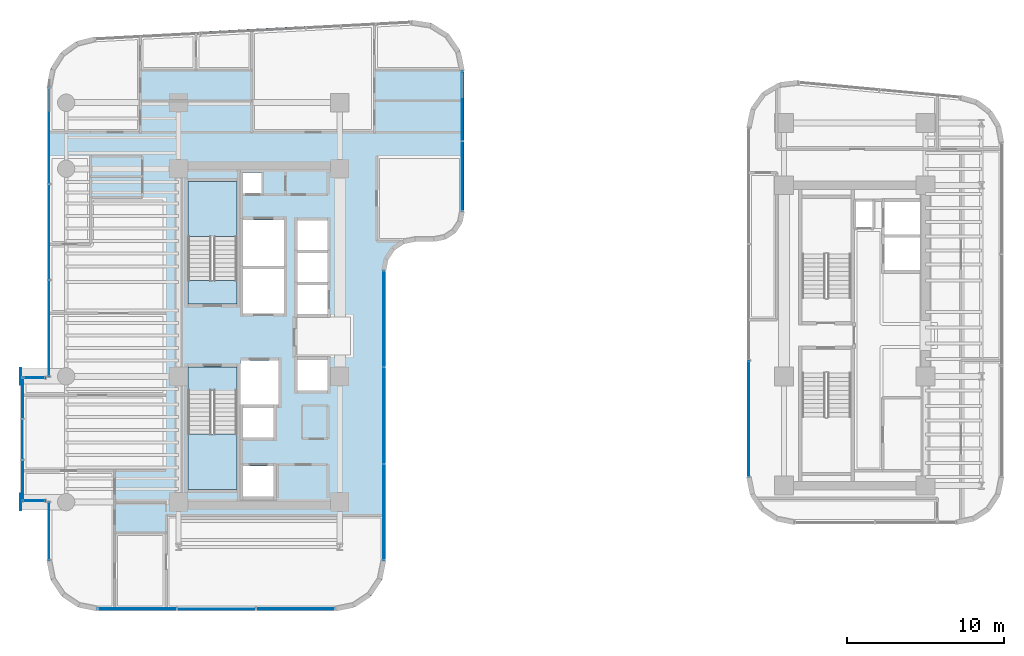
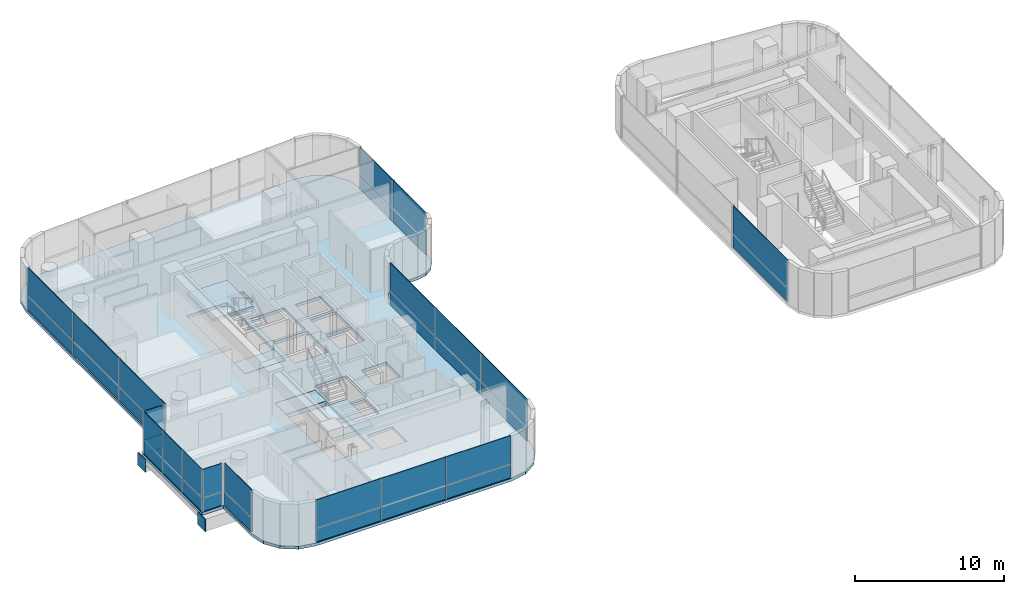
# One storey, part 24 of 34: 33 plates, 5 slabs, 11 elements without a shape of their own.
"""IFC4 building model written with IfcOpenShell, lengths in metres."""

from ifc_helpers import new_model, si_unit, direction, frame, origin, origin_2d, place, context, subcontext, project, spatial, polyline, rectangle, outline, extrude, source, transform, mapped, material, layer, layer_set, type_object, element, aggregate, save


model = new_model("IFC4")

# Units and contexts
model_context = context("Model", 3, precision=1e-05, world=origin(), true_north=direction((0.0, 1.0)))
body_context = subcontext(model_context, "Body", "Model", "MODEL_VIEW")
ifc_project = project(units=[si_unit("LENGTHUNIT", "METRE"), si_unit("AREAUNIT", "SQUARE_METRE"), si_unit("VOLUMEUNIT", "CUBIC_METRE"), si_unit("PLANEANGLEUNIT", "RADIAN"), si_unit("MASSUNIT", "GRAM", prefix="KILO")], contexts=[model_context])

# Site, building, storey
site_placement = place(None, origin())
site = spatial("IfcSite", under=ifc_project, at=site_placement, CompositionType="ELEMENT")
building_placement = place(site_placement, origin())
building = spatial("IfcBuilding", under=site, at=building_placement, Name="Valdorenza Pilgrim Sanctuary Tower", CompositionType="ELEMENT")
storey_placement = place(building_placement, frame((0.0, 0.0, 164.89990234375)))
storey = spatial("IfcBuildingStorey", under=building, at=storey_placement, Name="L42", CompositionType="ELEMENT", Elevation=164.89990234375)

# Slab
ifc_material_1 = material(Name="Concrete C40/50", Category="concrete")
ifc_layer_1 = layer(ifc_material_1, 0.239990234375, Name="Concrete C40/50")
ifc_layer_set_1 = layer_set([ifc_layer_1], Name="Concrete C40/50")
slab_type_1 = type_object("IfcSlabType", Name="SLAB-FLR-220", PredefinedType="FLOOR", material=ifc_layer_set_1)
slab_1_placement = place(storey_placement, frame((0.0, 0.0, -0.239990234375)))
element("IfcSlab", 1, at=slab_1_placement, inside=storey, type_object=slab_type_1, Name="L42 Structural Floor Slab 1", PredefinedType="FLOOR", context=body_context, shape_type="SweptSolid", body=[
    extrude(outline(polyline([(-32.64990234375, -2.60009765625), (-31.0, -2.60009765625), (-31.0, 15.7646484375), (-30.772216796875, 16.9501953125), (-30.12158203125, 17.966796875), (-29.140625, 18.670166015625), (-27.96875, 18.960205078125), (-7.868896484375, 20.02197265625), (-6.593505859375, 19.8291015625), (-5.497802734375, 19.148193359375), (-4.760009765625, 18.090087890625), (-4.5, 16.826416015625), (-4.5, 7.89990234375), (-4.64453125, 7.1728515625), (-5.056396484375, 6.556396484375), (-5.6728515625, 6.14453125), (-6.39990234375, 6.0), (-7.60009765625, 6.0), (-8.3271484375, 5.85546875), (-8.943603515625, 5.443603515625), (-9.35546875, 4.8271484375), (-9.5, 4.10009765625), (-9.5, -14.300048828125), (-9.74365234375, -15.524658203125), (-10.437255859375, -16.562744140625), (-11.475341796875, -17.25634765625), (-12.699951171875, -17.5), (-27.800048828125, -17.5), (-29.024658203125, -17.25634765625), (-30.062744140625, -16.562744140625), (-30.75634765625, -15.524658203125), (-31.0, -14.300048828125), (-31.0, -10.60009765625), (-32.64990234375, -10.60009765625), (-32.64990234375, -2.60009765625)]), holes=[polyline([(-16.60009765625, -10.25), (-16.60009765625, -8.300048828125), (-18.550048828125, -8.300048828125), (-18.550048828125, -10.25), (-16.60009765625, -10.25)]), polyline([(-22.050048828125, -9.800048828125), (-18.93994140625, -9.800048828125), (-18.93994140625, -3.485107421875), (-18.93994140625, -2.0), (-22.050048828125, -2.0), (-22.050048828125, -3.485107421875), (-22.050048828125, -9.800048828125)]), polyline([(-16.60009765625, -6.5), (-16.60009765625, -4.60009765625), (-18.550048828125, -4.60009765625), (-18.550048828125, -6.5), (-16.60009765625, -6.5)]), polyline([(-18.719970703125, -4.39990234375), (-16.300048828125, -4.39990234375), (-16.300048828125, -1.60009765625), (-18.719970703125, -1.60009765625), (-18.719970703125, -4.39990234375)]), polyline([(-13.179931640625, 1.35009765625), (-13.179931640625, 3.199951171875), (-15.10009765625, 3.199951171875), (-15.10009765625, 1.35009765625), (-13.179931640625, 1.35009765625)]), polyline([(-22.050048828125, 2.0), (-18.93994140625, 2.0), (-18.93994140625, 3.485107421875), (-18.93994140625, 9.800048828125), (-22.050048828125, 9.800048828125), (-22.050048828125, 3.485107421875), (-22.050048828125, 2.0)]), polyline([(-15.949951171875, 1.39990234375), (-15.949951171875, 4.22509765625), (-18.550048828125, 4.22509765625), (-18.550048828125, 1.39990234375), (-15.949951171875, 1.39990234375)]), polyline([(-18.550048828125, 4.425048828125), (-15.949951171875, 4.425048828125), (-15.949951171875, 7.35009765625), (-18.550048828125, 7.35009765625), (-18.550048828125, 4.425048828125)]), polyline([(-17.360107421875, 9.030029296875), (-17.360107421875, 10.35009765625), (-18.570068359375, 10.35009765625), (-18.570068359375, 9.030029296875), (-17.360107421875, 9.030029296875)]), polyline([(-13.179931640625, -3.5), (-13.179931640625, -1.550048828125), (-15.10009765625, -1.550048828125), (-15.10009765625, -3.5), (-13.179931640625, -3.5)]), polyline([(-13.179931640625, 3.39990234375), (-13.179931640625, 5.25), (-15.10009765625, 5.25), (-15.10009765625, 3.39990234375), (-13.179931640625, 3.39990234375)]), polyline([(-13.179931640625, 5.449951171875), (-13.179931640625, 7.300048828125), (-15.10009765625, 7.300048828125), (-15.10009765625, 5.449951171875), (-13.179931640625, 5.449951171875)])]), origin(), (0.0, 0.0, 1.0), 0.239990234375),
])

# Stair, slab
stair_type = type_object("IfcStairType", Name="STR-DOG-CORE", PredefinedType="HALF_TURN_STAIR", material=ifc_material_1)
stair_1_placement = place(storey_placement, origin())
stair_1 = element("IfcStair", 2, at=stair_1_placement, inside=storey, type_object=stair_type, Name="L42 ST-A1", PredefinedType="HALF_TURN_STAIR")
ifc_layer_2 = layer(ifc_material_1, 0.199951171875, Name="Concrete C40/50")
ifc_layer_set_2 = layer_set([ifc_layer_2], Name="Concrete C40/50")
slab_type_2 = type_object("IfcSlabType", Name="SLAB-STL-200", PredefinedType="LANDING", material=ifc_layer_set_2)
slab_2_placement = place(storey_placement, frame((0.0, 0.0, 1.650146484375)))
slab_2 = element("IfcSlab", 3, at=slab_2_placement, type_object=slab_type_2, Name="ST-A1 landing 1", PredefinedType="LANDING", context=body_context, shape_type="SweptSolid", body=[
    extrude(outline(polyline([(-18.93994140625, 6.280029296875), (-18.93994140625, 9.800048828125), (-22.050048828125, 9.800048828125), (-22.050048828125, 6.280029296875), (-18.93994140625, 6.280029296875)])), origin(), (0.0, 0.0, 1.0), 0.199951171875),
])
aggregate(stair_1, [slab_2])

stair_2_placement = place(storey_placement, origin())
stair_2 = element("IfcStair", 4, at=stair_2_placement, inside=storey, type_object=stair_type, Name="L42 ST-A2", PredefinedType="HALF_TURN_STAIR")
slab_3_placement = place(storey_placement, frame((0.0, 0.0, 1.650146484375)))
slab_3 = element("IfcSlab", 5, at=slab_3_placement, type_object=slab_type_2, Name="ST-A2 landing 1", PredefinedType="LANDING", context=body_context, shape_type="SweptSolid", body=[
    extrude(outline(polyline([(-22.050048828125, -6.280029296875), (-22.050048828125, -9.800048828125), (-18.93994140625, -9.800048828125), (-18.93994140625, -6.280029296875), (-22.050048828125, -6.280029296875)])), origin(), (0.0, 0.0, 1.0), 0.199951171875),
])
aggregate(stair_2, [slab_3])

# Slabs
ifc_material_2 = material(Name="Concrete C50/60", Category="concrete")
ifc_layer_3 = layer(ifc_material_2, 0.39990234375, Name="Concrete C50/60")
ifc_layer_set_3 = layer_set([ifc_layer_3], Name="Concrete C50/60")
slab_type_3 = type_object("IfcSlabType", Name="SLAB-TRF-400", PredefinedType="FLOOR", material=ifc_layer_set_3)
slab_4_placement = place(storey_placement, frame((0.0, 0.0, -0.35986328125)))
element("IfcSlab", 6, at=slab_4_placement, inside=storey, type_object=slab_type_3, Name="L42 ST-A1 Structural Stair Landing Bearing Slab", PredefinedType="FLOOR", context=body_context, shape_type="SweptSolid", body=[
    extrude(outline(polyline([(-22.050048828125, 2.0), (-18.93994140625, 2.0), (-18.93994140625, 3.485107421875), (-22.050048828125, 3.485107421875), (-22.050048828125, 2.0)])), origin(), (0.0, 0.0, 1.0), 0.35986328125),
])
slab_5_placement = place(storey_placement, frame((0.0, 0.0, -0.35986328125)))
element("IfcSlab", 7, at=slab_5_placement, inside=storey, type_object=slab_type_3, Name="L42 ST-A2 Structural Stair Landing Bearing Slab", PredefinedType="FLOOR", context=body_context, shape_type="SweptSolid", body=[
    extrude(outline(polyline([(-22.050048828125, -3.485107421875), (-18.93994140625, -3.485107421875), (-18.93994140625, -2.0), (-22.050048828125, -2.0), (-22.050048828125, -3.485107421875)])), origin(), (0.0, 0.0, 1.0), 0.35986328125),
])

# Plates
ifc_material_3 = material(Name="Steel ASTM A572 Grade 42", Category="steel")
ifc_layer_4 = layer(ifc_material_3, 0.06005859375, Name="Steel ASTM A572 Grade 42")
ifc_layer_set_4 = layer_set([ifc_layer_4], Name="Steel ASTM A572 Grade 42")
plate_type_1 = type_object("IfcPlateType", Name="PLT-CAP-60", PredefinedType="SHEET", material=ifc_layer_set_4)
shared_shape_1 = source(origin(), body_context, "Body", "SweptSolid", [
    extrude(rectangle(XDim=0.06005859375, YDim=1.0400390625, at=origin_2d()), origin(), (0.0, 0.0, 1.0), 1.0400390625),
])
for number, where, z_axis, x_axis, name in (
    (8, (-32.679931640625, -2.60009765625, -1.260009765625), (0.0, 0.0, 1.0), (1.0, 0.0, 0.0), "L42 BOX-WA-L42 Cantilever Tip End Cap N"),
    (9, (-32.679931640625, -10.60009765625, -1.260009765625), (0.0, 0.0, 1.0), (1.0, 0.0, 0.0), "L42 BOX-WA-L42 Cantilever Tip End Cap S"),
):
    element("IfcPlate", number, at=place(storey_placement, frame(where, z_axis=z_axis, x_axis=x_axis)), inside=storey, type_object=plate_type_1, Name=name, PredefinedType="SHEET", context=body_context, shape_type="MappedRepresentation", body=[
        mapped(shared_shape_1, transform((0.0, 0.0, 0.0), x_axis=(1.0, 0.0, 0.0), y_axis=(0.0, 1.0, 0.0), z_axis=(0.0, 0.0, 1.0), scale=1.0)),
    ])

# Curtain wall, plate
ifc_material_4 = material(Name="Curtain-wall IGU glazing", Category="glass")
curtain_wall_type_1 = type_object("IfcCurtainWallType", Name="CW-SYS-02", PredefinedType="NOTDEFINED", material=ifc_material_4)
curtain_wall_1_placement = place(storey_placement, origin())
curtain_wall_1 = element("IfcCurtainWall", 10, at=curtain_wall_1_placement, inside=storey, type_object=curtain_wall_type_1, Name="L42 Curtain Wall CW-L42-BOX-WA-L42-S", PredefinedType="NOTDEFINED")
ifc_material_5 = material(Name="Honed travertine limestone", Category="masonry")
ifc_layer_5 = layer(ifc_material_5, 0.050048828125, Name="Honed travertine limestone")
ifc_layer_set_5 = layer_set([ifc_layer_5], Name="Honed travertine limestone")
plate_type_2 = type_object("IfcPlateType", Name="CW-SPN-TRV", PredefinedType="USERDEFINED", material=ifc_layer_set_5)
shared_shape_2 = source(origin(), body_context, "Body", "SweptSolid", [
    extrude(rectangle(XDim=1.43994140625, YDim=0.06005859375, at=origin_2d()), origin(), (0.0, 0.0, 1.0), 1.10009765625),
])
plate_1_placement = place(storey_placement, frame((-31.840087890625, -10.52001953125, 0.010009765625), z_axis=(0.0, 0.0, 1.0), x_axis=(-1.0, 0.0, 0.0)))
plate_1 = element("IfcPlate", 11, at=plate_1_placement, type_object=plate_type_2, Name="CW-L42-BOX-WA-L42-S Travertine Spandrel 1", ObjectType="SPANDREL", PredefinedType="USERDEFINED", context=body_context, shape_type="MappedRepresentation", body=[
    mapped(shared_shape_2, transform((0.0, 0.0, 0.0), x_axis=(1.0, 0.0, 0.0), y_axis=(0.0, 1.0, 0.0), z_axis=(0.0, 0.0, 1.0), scale=1.0)),
])

curtain_wall_2_placement = place(storey_placement, origin())
curtain_wall_2 = element("IfcCurtainWall", 12, at=curtain_wall_2_placement, inside=storey, type_object=curtain_wall_type_1, Name="L42 Curtain Wall CW-L42-BOX-WA-L42-N", PredefinedType="NOTDEFINED")
plate_2_placement = place(storey_placement, frame((-31.840087890625, -2.679931640625, 0.010009765625), z_axis=(0.0, 0.0, 1.0), x_axis=(1.0, 0.0, 0.0)))
plate_2 = element("IfcPlate", 13, at=plate_2_placement, type_object=plate_type_2, Name="CW-L42-BOX-WA-L42-N Travertine Spandrel 1", ObjectType="SPANDREL", PredefinedType="USERDEFINED", context=body_context, shape_type="MappedRepresentation", body=[
    mapped(shared_shape_2, transform((0.0, 0.0, 0.0), x_axis=(1.0, 0.0, 0.0), y_axis=(0.0, 1.0, 0.0), z_axis=(0.0, 0.0, 1.0), scale=1.0)),
])

# Plate
ifc_material_6 = material(Name="Ceramic-fritted low-E IGU glazing", Category="glass")
ifc_layer_6 = layer(ifc_material_6, 0.035888671875, Name="Ceramic-fritted low-E IGU glazing")
ifc_layer_set_6 = layer_set([ifc_layer_6], Name="Ceramic-fritted low-E IGU glazing")
plate_type_3 = type_object("IfcPlateType", Name="CW-GLZ-IGU", PredefinedType="USERDEFINED", material=ifc_layer_set_6)
shared_shape_3 = source(origin(), body_context, "Body", "SweptSolid", [
    extrude(rectangle(XDim=1.43994140625, YDim=0.050048828125, at=origin_2d()), origin(), (0.0, 0.0, 1.0), 2.320068359375),
])
plate_3_placement = place(storey_placement, frame((-31.840087890625, -10.52001953125, 1.1298828125), z_axis=(0.0, 0.0, 1.0), x_axis=(-1.0, 0.0, 0.0)))
plate_3 = element("IfcPlate", 14, at=plate_3_placement, type_object=plate_type_3, Name="CW-L42-BOX-WA-L42-S Facade Panel 1", ObjectType="GLAZING", PredefinedType="USERDEFINED", context=body_context, shape_type="MappedRepresentation", body=[
    mapped(shared_shape_3, transform((0.0, 0.0, 0.0), x_axis=(1.0, 0.0, 0.0), y_axis=(0.0, 1.0, 0.0), z_axis=(0.0, 0.0, 1.0), scale=1.0)),
])

aggregate(curtain_wall_1, [plate_1, plate_3])

plate_4_placement = place(storey_placement, frame((-31.840087890625, -2.679931640625, 1.1298828125), z_axis=(0.0, 0.0, 1.0), x_axis=(1.0, 0.0, 0.0)))
plate_4 = element("IfcPlate", 15, at=plate_4_placement, type_object=plate_type_3, Name="CW-L42-BOX-WA-L42-N Facade Panel 1", ObjectType="GLAZING", PredefinedType="USERDEFINED", context=body_context, shape_type="MappedRepresentation", body=[
    mapped(shared_shape_3, transform((0.0, 0.0, 0.0), x_axis=(1.0, 0.0, 0.0), y_axis=(0.0, 1.0, 0.0), z_axis=(0.0, 0.0, 1.0), scale=1.0)),
])

aggregate(curtain_wall_2, [plate_2, plate_4])

# Curtain wall, plates
curtain_wall_3_placement = place(storey_placement, origin())
curtain_wall_3 = element("IfcCurtainWall", 16, at=curtain_wall_3_placement, inside=storey, type_object=curtain_wall_type_1, Name="L42 Curtain Wall CW-L42-BOX-WA-L42-F", PredefinedType="NOTDEFINED")
shared_shape_4 = source(origin(), body_context, "Body", "SweptSolid", [
    extrude(rectangle(XDim=2.59326171875, YDim=0.06005859375, at=origin_2d()), origin(), (0.0, 0.0, 1.0), 1.10009765625),
])
plate_5_placement = place(storey_placement, frame((-32.570068359375, -9.21337890625, 0.010009765625), z_axis=(0.0, 0.0, 1.0), x_axis=(0.0, 1.0, 0.0)))
plate_5 = element("IfcPlate", 17, at=plate_5_placement, type_object=plate_type_2, Name="CW-L42-BOX-WA-L42-F Travertine Spandrel 1", ObjectType="SPANDREL", PredefinedType="USERDEFINED", context=body_context, shape_type="MappedRepresentation", body=[
    mapped(shared_shape_4, transform((0.0, 0.0, 0.0), x_axis=(1.0, 0.0, 0.0), y_axis=(0.0, 1.0, 0.0), z_axis=(0.0, 0.0, 1.0), scale=1.0)),
])
plate_6_placement = place(storey_placement, frame((-32.570068359375, -3.98681640625, 0.010009765625), z_axis=(0.0, 0.0, 1.0), x_axis=(0.0, 1.0, 0.0)))
plate_6 = element("IfcPlate", 18, at=plate_6_placement, type_object=plate_type_2, Name="CW-L42-BOX-WA-L42-F Travertine Spandrel 3", ObjectType="SPANDREL", PredefinedType="USERDEFINED", context=body_context, shape_type="MappedRepresentation", body=[
    mapped(shared_shape_4, transform((0.0, 0.0, 0.0), x_axis=(1.0, 0.0, 0.0), y_axis=(0.0, 1.0, 0.0), z_axis=(0.0, 0.0, 1.0), scale=1.0)),
])
shared_shape_5 = source(origin(), body_context, "Body", "SweptSolid", [
    extrude(rectangle(XDim=2.59326171875, YDim=0.050048828125, at=origin_2d()), origin(), (0.0, 0.0, 1.0), 2.320068359375),
])
plate_7_placement = place(storey_placement, frame((-32.570068359375, -9.21337890625, 1.1298828125), z_axis=(0.0, 0.0, 1.0), x_axis=(0.0, 1.0, 0.0)))
plate_7 = element("IfcPlate", 19, at=plate_7_placement, type_object=plate_type_3, Name="CW-L42-BOX-WA-L42-F Facade Panel 1", ObjectType="GLAZING", PredefinedType="USERDEFINED", context=body_context, shape_type="MappedRepresentation", body=[
    mapped(shared_shape_5, transform((0.0, 0.0, 0.0), x_axis=(1.0, 0.0, 0.0), y_axis=(0.0, 1.0, 0.0), z_axis=(0.0, 0.0, 1.0), scale=1.0)),
])
plate_8_placement = place(storey_placement, frame((-32.570068359375, -3.98681640625, 1.1298828125), z_axis=(0.0, 0.0, 1.0), x_axis=(0.0, 1.0, 0.0)))
plate_8 = element("IfcPlate", 20, at=plate_8_placement, type_object=plate_type_3, Name="CW-L42-BOX-WA-L42-F Facade Panel 3", ObjectType="GLAZING", PredefinedType="USERDEFINED", context=body_context, shape_type="MappedRepresentation", body=[
    mapped(shared_shape_5, transform((0.0, 0.0, 0.0), x_axis=(1.0, 0.0, 0.0), y_axis=(0.0, 1.0, 0.0), z_axis=(0.0, 0.0, 1.0), scale=1.0)),
])
shared_shape_6 = source(origin(), body_context, "Body", "SweptSolid", [
    extrude(rectangle(XDim=2.59326171875, YDim=0.050048828125, at=origin_2d()), origin(), (0.0, 0.0, 1.0), 3.43994140625),
])
plate_9_placement = place(storey_placement, frame((-32.570068359375, -6.60009765625, 0.010009765625), z_axis=(0.0, 0.0, 1.0), x_axis=(0.0, 1.0, 0.0)))
plate_9 = element("IfcPlate", 21, at=plate_9_placement, type_object=plate_type_3, Name="CW-L42-BOX-WA-L42-F Full-Height Facade Panel 2", ObjectType="GLAZING", PredefinedType="USERDEFINED", context=body_context, shape_type="MappedRepresentation", body=[
    mapped(shared_shape_6, transform((0.0, 0.0, 0.0), x_axis=(1.0, 0.0, 0.0), y_axis=(0.0, 1.0, 0.0), z_axis=(0.0, 0.0, 1.0), scale=1.0)),
])
aggregate(curtain_wall_3, [plate_5, plate_7, plate_9, plate_6, plate_8])

curtain_wall_4_placement = place(storey_placement, origin())
curtain_wall_4 = element("IfcCurtainWall", 22, at=curtain_wall_4_placement, inside=storey, type_object=curtain_wall_type_1, Name="L42 Curtain Wall CW-L42-1-26", PredefinedType="NOTDEFINED")
shared_shape_7 = source(origin(), body_context, "Body", "SweptSolid", [
    extrude(rectangle(XDim=5.006103515625, YDim=0.06005859375, at=origin_2d()), origin(), (0.0, 0.0, 1.0), 1.10009765625),
])
plate_10_placement = place(storey_placement, frame((-15.223876953125, -17.389892578125, 0.010009765625), z_axis=(0.0, 0.0, 1.0), x_axis=(-1.0, 0.0, 0.0)))
plate_10 = element("IfcPlate", 23, at=plate_10_placement, type_object=plate_type_2, Name="CW-L42-1-26 Travertine Spandrel 1", ObjectType="SPANDREL", PredefinedType="USERDEFINED", context=body_context, shape_type="MappedRepresentation", body=[
    mapped(shared_shape_7, transform((0.0, 0.0, 0.0), x_axis=(1.0, 0.0, 0.0), y_axis=(0.0, 1.0, 0.0), z_axis=(0.0, 0.0, 1.0), scale=1.0)),
])
plate_11_placement = place(storey_placement, frame((-25.276123046875, -17.389892578125, 0.010009765625), z_axis=(0.0, 0.0, 1.0), x_axis=(-1.0, 0.0, 0.0)))
plate_11 = element("IfcPlate", 24, at=plate_11_placement, type_object=plate_type_2, Name="CW-L42-1-26 Travertine Spandrel 3", ObjectType="SPANDREL", PredefinedType="USERDEFINED", context=body_context, shape_type="MappedRepresentation", body=[
    mapped(shared_shape_7, transform((0.0, 0.0, 0.0), x_axis=(1.0, 0.0, 0.0), y_axis=(0.0, 1.0, 0.0), z_axis=(0.0, 0.0, 1.0), scale=1.0)),
])
shared_shape_8 = source(origin(), body_context, "Body", "SweptSolid", [
    extrude(rectangle(XDim=5.006103515625, YDim=0.050048828125, at=origin_2d()), origin(), (0.0, 0.0, 1.0), 2.320068359375),
])
plate_12_placement = place(storey_placement, frame((-15.223876953125, -17.389892578125, 1.1298828125), z_axis=(0.0, 0.0, 1.0), x_axis=(-1.0, 0.0, 0.0)))
plate_12 = element("IfcPlate", 25, at=plate_12_placement, type_object=plate_type_3, Name="CW-L42-1-26 Facade Panel 1", ObjectType="GLAZING", PredefinedType="USERDEFINED", context=body_context, shape_type="MappedRepresentation", body=[
    mapped(shared_shape_8, transform((0.0, 0.0, 0.0), x_axis=(1.0, 0.0, 0.0), y_axis=(0.0, 1.0, 0.0), z_axis=(0.0, 0.0, 1.0), scale=1.0)),
])
plate_13_placement = place(storey_placement, frame((-25.276123046875, -17.389892578125, 1.1298828125), z_axis=(0.0, 0.0, 1.0), x_axis=(-1.0, 0.0, 0.0)))
plate_13 = element("IfcPlate", 26, at=plate_13_placement, type_object=plate_type_3, Name="CW-L42-1-26 Facade Panel 3", ObjectType="GLAZING", PredefinedType="USERDEFINED", context=body_context, shape_type="MappedRepresentation", body=[
    mapped(shared_shape_8, transform((0.0, 0.0, 0.0), x_axis=(1.0, 0.0, 0.0), y_axis=(0.0, 1.0, 0.0), z_axis=(0.0, 0.0, 1.0), scale=1.0)),
])
shared_shape_9 = source(origin(), body_context, "Body", "SweptSolid", [
    extrude(rectangle(XDim=5.006103515625, YDim=0.050048828125, at=origin_2d()), origin(), (0.0, 0.0, 1.0), 3.43994140625),
])
plate_14_placement = place(storey_placement, frame((-20.25, -17.389892578125, 0.010009765625), z_axis=(0.0, 0.0, 1.0), x_axis=(-1.0, 0.0, 0.0)))
plate_14 = element("IfcPlate", 27, at=plate_14_placement, type_object=plate_type_3, Name="CW-L42-1-26 Full-Height Facade Panel 2", ObjectType="GLAZING", PredefinedType="USERDEFINED", context=body_context, shape_type="MappedRepresentation", body=[
    mapped(shared_shape_9, transform((0.0, 0.0, 0.0), x_axis=(1.0, 0.0, 0.0), y_axis=(0.0, 1.0, 0.0), z_axis=(0.0, 0.0, 1.0), scale=1.0)),
])
aggregate(curtain_wall_4, [plate_10, plate_12, plate_14, plate_11, plate_13])

curtain_wall_5_placement = place(storey_placement, origin())
curtain_wall_5 = element("IfcCurtainWall", 28, at=curtain_wall_5_placement, inside=storey, type_object=curtain_wall_type_1, Name="L42 Curtain Wall CW-L42-1-1S1", PredefinedType="NOTDEFINED")
shared_shape_10 = source(origin(), body_context, "Body", "SweptSolid", [
    extrude(rectangle(XDim=3.669189453125, YDim=0.06005859375, at=origin_2d()), origin(), (0.0, 0.0, 1.0), 1.10009765625),
])
plate_15_placement = place(storey_placement, frame((-30.889892578125, -12.444580078125, 0.010009765625), z_axis=(0.0, 0.0, 1.0), x_axis=(0.0, 1.0, 0.0)))
plate_15 = element("IfcPlate", 29, at=plate_15_placement, type_object=plate_type_2, Name="CW-L42-1-1S1 Travertine Spandrel 1", ObjectType="SPANDREL", PredefinedType="USERDEFINED", context=body_context, shape_type="MappedRepresentation", body=[
    mapped(shared_shape_10, transform((0.0, 0.0, 0.0), x_axis=(1.0, 0.0, 0.0), y_axis=(0.0, 1.0, 0.0), z_axis=(0.0, 0.0, 1.0), scale=1.0)),
])
shared_shape_11 = source(origin(), body_context, "Body", "SweptSolid", [
    extrude(rectangle(XDim=3.669189453125, YDim=0.050048828125, at=origin_2d()), origin(), (0.0, 0.0, 1.0), 2.320068359375),
])
plate_16_placement = place(storey_placement, frame((-30.889892578125, -12.444580078125, 1.1298828125), z_axis=(0.0, 0.0, 1.0), x_axis=(0.0, 1.0, 0.0)))
plate_16 = element("IfcPlate", 30, at=plate_16_placement, type_object=plate_type_3, Name="CW-L42-1-1S1 Facade Panel 1", ObjectType="GLAZING", PredefinedType="USERDEFINED", context=body_context, shape_type="MappedRepresentation", body=[
    mapped(shared_shape_11, transform((0.0, 0.0, 0.0), x_axis=(1.0, 0.0, 0.0), y_axis=(0.0, 1.0, 0.0), z_axis=(0.0, 0.0, 1.0), scale=1.0)),
])
aggregate(curtain_wall_5, [plate_15, plate_16])

curtain_wall_6_placement = place(storey_placement, origin())
curtain_wall_6 = element("IfcCurtainWall", 31, at=curtain_wall_6_placement, inside=storey, type_object=curtain_wall_type_1, Name="L42 Curtain Wall CW-L42-1-11", PredefinedType="NOTDEFINED")
shared_shape_12 = source(origin(), body_context, "Body", "SweptSolid", [
    extrude(rectangle(XDim=4.432373046875, YDim=0.06005859375, at=origin_2d()), origin(), (0.0, 0.0, 1.0), 1.10009765625),
])
plate_17_placement = place(storey_placement, frame((-4.610107421875, 14.589111328125, 0.010009765625), z_axis=(0.0, 0.0, 1.0), x_axis=(0.0, -1.0, 0.0)))
plate_17 = element("IfcPlate", 32, at=plate_17_placement, type_object=plate_type_2, Name="CW-L42-1-11 Travertine Spandrel 1", ObjectType="SPANDREL", PredefinedType="USERDEFINED", context=body_context, shape_type="MappedRepresentation", body=[
    mapped(shared_shape_12, transform((0.0, 0.0, 0.0), x_axis=(1.0, 0.0, 0.0), y_axis=(0.0, 1.0, 0.0), z_axis=(0.0, 0.0, 1.0), scale=1.0)),
])
shared_shape_13 = source(origin(), body_context, "Body", "SweptSolid", [
    extrude(rectangle(XDim=4.432373046875, YDim=0.050048828125, at=origin_2d()), origin(), (0.0, 0.0, 1.0), 2.320068359375),
])
plate_18_placement = place(storey_placement, frame((-4.610107421875, 14.589111328125, 1.1298828125), z_axis=(0.0, 0.0, 1.0), x_axis=(0.0, -1.0, 0.0)))
plate_18 = element("IfcPlate", 33, at=plate_18_placement, type_object=plate_type_3, Name="CW-L42-1-11 Facade Panel 1", ObjectType="GLAZING", PredefinedType="USERDEFINED", context=body_context, shape_type="MappedRepresentation", body=[
    mapped(shared_shape_13, transform((0.0, 0.0, 0.0), x_axis=(1.0, 0.0, 0.0), y_axis=(0.0, 1.0, 0.0), z_axis=(0.0, 0.0, 1.0), scale=1.0)),
])
shared_shape_14 = source(origin(), body_context, "Body", "SweptSolid", [
    extrude(rectangle(XDim=4.432373046875, YDim=0.050048828125, at=origin_2d()), origin(), (0.0, 0.0, 1.0), 3.43994140625),
])
plate_19_placement = place(storey_placement, frame((-4.610107421875, 10.136962890625, 0.010009765625), z_axis=(0.0, 0.0, 1.0), x_axis=(0.0, -1.0, 0.0)))
plate_19 = element("IfcPlate", 34, at=plate_19_placement, type_object=plate_type_3, Name="CW-L42-1-11 Full-Height Facade Panel 2", ObjectType="GLAZING", PredefinedType="USERDEFINED", context=body_context, shape_type="MappedRepresentation", body=[
    mapped(shared_shape_14, transform((0.0, 0.0, 0.0), x_axis=(1.0, 0.0, 0.0), y_axis=(0.0, 1.0, 0.0), z_axis=(0.0, 0.0, 1.0), scale=1.0)),
])
aggregate(curtain_wall_6, [plate_17, plate_18, plate_19])

curtain_wall_7_placement = place(storey_placement, origin())
curtain_wall_7 = element("IfcCurtainWall", 35, at=curtain_wall_7_placement, inside=storey, type_object=curtain_wall_type_1, Name="L42 Curtain Wall CW-L42-1-21", PredefinedType="NOTDEFINED")
shared_shape_15 = source(origin(), body_context, "Body", "SweptSolid", [
    extrude(rectangle(XDim=6.11328125, YDim=0.06005859375, at=origin_2d()), origin(), (0.0, 0.0, 1.0), 1.10009765625),
])
plate_20_placement = place(storey_placement, frame((-9.610107421875, 1.044189453125, 0.010009765625), z_axis=(0.0, 0.0, 1.0), x_axis=(0.0, -1.0, 0.0)))
plate_20 = element("IfcPlate", 36, at=plate_20_placement, type_object=plate_type_2, Name="CW-L42-1-21 Travertine Spandrel 1", ObjectType="SPANDREL", PredefinedType="USERDEFINED", context=body_context, shape_type="MappedRepresentation", body=[
    mapped(shared_shape_15, transform((0.0, 0.0, 0.0), x_axis=(1.0, 0.0, 0.0), y_axis=(0.0, 1.0, 0.0), z_axis=(0.0, 0.0, 1.0), scale=1.0)),
])
plate_21_placement = place(storey_placement, frame((-9.610107421875, -11.222412109375, 0.010009765625), z_axis=(0.0, 0.0, 1.0), x_axis=(0.0, -1.0, 0.0)))
plate_21 = element("IfcPlate", 37, at=plate_21_placement, type_object=plate_type_2, Name="CW-L42-1-21 Travertine Spandrel 3", ObjectType="SPANDREL", PredefinedType="USERDEFINED", context=body_context, shape_type="MappedRepresentation", body=[
    mapped(shared_shape_15, transform((0.0, 0.0, 0.0), x_axis=(1.0, 0.0, 0.0), y_axis=(0.0, 1.0, 0.0), z_axis=(0.0, 0.0, 1.0), scale=1.0)),
])
shared_shape_16 = source(origin(), body_context, "Body", "SweptSolid", [
    extrude(rectangle(XDim=6.11328125, YDim=0.050048828125, at=origin_2d()), origin(), (0.0, 0.0, 1.0), 2.320068359375),
])
plate_22_placement = place(storey_placement, frame((-9.610107421875, 1.044189453125, 1.1298828125), z_axis=(0.0, 0.0, 1.0), x_axis=(0.0, -1.0, 0.0)))
plate_22 = element("IfcPlate", 38, at=plate_22_placement, type_object=plate_type_3, Name="CW-L42-1-21 Facade Panel 1", ObjectType="GLAZING", PredefinedType="USERDEFINED", context=body_context, shape_type="MappedRepresentation", body=[
    mapped(shared_shape_16, transform((0.0, 0.0, 0.0), x_axis=(1.0, 0.0, 0.0), y_axis=(0.0, 1.0, 0.0), z_axis=(0.0, 0.0, 1.0), scale=1.0)),
])
plate_23_placement = place(storey_placement, frame((-9.610107421875, -11.222412109375, 1.1298828125), z_axis=(0.0, 0.0, 1.0), x_axis=(0.0, -1.0, 0.0)))
plate_23 = element("IfcPlate", 39, at=plate_23_placement, type_object=plate_type_3, Name="CW-L42-1-21 Facade Panel 3", ObjectType="GLAZING", PredefinedType="USERDEFINED", context=body_context, shape_type="MappedRepresentation", body=[
    mapped(shared_shape_16, transform((0.0, 0.0, 0.0), x_axis=(1.0, 0.0, 0.0), y_axis=(0.0, 1.0, 0.0), z_axis=(0.0, 0.0, 1.0), scale=1.0)),
])
shared_shape_17 = source(origin(), body_context, "Body", "SweptSolid", [
    extrude(rectangle(XDim=6.11328125, YDim=0.050048828125, at=origin_2d()), origin(), (0.0, 0.0, 1.0), 3.43994140625),
])
plate_24_placement = place(storey_placement, frame((-9.610107421875, -5.089111328125, 0.010009765625), z_axis=(0.0, 0.0, 1.0), x_axis=(0.0, -1.0, 0.0)))
plate_24 = element("IfcPlate", 40, at=plate_24_placement, type_object=plate_type_3, Name="CW-L42-1-21 Full-Height Facade Panel 2", ObjectType="GLAZING", PredefinedType="USERDEFINED", context=body_context, shape_type="MappedRepresentation", body=[
    mapped(shared_shape_17, transform((0.0, 0.0, 0.0), x_axis=(1.0, 0.0, 0.0), y_axis=(0.0, 1.0, 0.0), z_axis=(0.0, 0.0, 1.0), scale=1.0)),
])
aggregate(curtain_wall_7, [plate_20, plate_22, plate_24, plate_21, plate_23])

curtain_wall_type_2 = type_object("IfcCurtainWallType", Name="CW-SYS-03", PredefinedType="NOTDEFINED", material=ifc_material_4)
curtain_wall_8_placement = place(storey_placement, origin())
curtain_wall_8 = element("IfcCurtainWall", 41, at=curtain_wall_8_placement, inside=storey, type_object=curtain_wall_type_2, Name="L42 Curtain Wall CW-L42-2-1", PredefinedType="NOTDEFINED")
shared_shape_18 = source(origin(), body_context, "Body", "SweptSolid", [
    extrude(rectangle(XDim=7.376220703125, YDim=0.06005859375, at=origin_2d()), origin(), (0.0, 0.0, 1.0), 1.10009765625),
])
plate_25_placement = place(storey_placement, frame((13.610107421875, -5.291015625, 0.010009765625), z_axis=(0.0, 0.0, 1.0), x_axis=(0.0, 1.0, 0.0)))
plate_25 = element("IfcPlate", 42, at=plate_25_placement, type_object=plate_type_2, Name="CW-L42-2-1 Travertine Spandrel 1", ObjectType="SPANDREL", PredefinedType="USERDEFINED", context=body_context, shape_type="MappedRepresentation", body=[
    mapped(shared_shape_18, transform((0.0, 0.0, 0.0), x_axis=(1.0, 0.0, 0.0), y_axis=(0.0, 1.0, 0.0), z_axis=(0.0, 0.0, 1.0), scale=1.0)),
])
shared_shape_19 = source(origin(), body_context, "Body", "SweptSolid", [
    extrude(rectangle(XDim=7.376220703125, YDim=0.050048828125, at=origin_2d()), origin(), (0.0, 0.0, 1.0), 2.320068359375),
])
plate_26_placement = place(storey_placement, frame((13.610107421875, -5.291015625, 1.1298828125), z_axis=(0.0, 0.0, 1.0), x_axis=(0.0, 1.0, 0.0)))
plate_26 = element("IfcPlate", 43, at=plate_26_placement, type_object=plate_type_3, Name="CW-L42-2-1 Facade Panel 1", ObjectType="GLAZING", PredefinedType="USERDEFINED", context=body_context, shape_type="MappedRepresentation", body=[
    mapped(shared_shape_19, transform((0.0, 0.0, 0.0), x_axis=(1.0, 0.0, 0.0), y_axis=(0.0, 1.0, 0.0), z_axis=(0.0, 0.0, 1.0), scale=1.0)),
])
aggregate(curtain_wall_8, [plate_25, plate_26])

curtain_wall_9_placement = place(storey_placement, origin())
curtain_wall_9 = element("IfcCurtainWall", 44, at=curtain_wall_9_placement, inside=storey, type_object=curtain_wall_type_1, Name="L42 Curtain Wall CW-L42-1-1S2", PredefinedType="NOTDEFINED")
shared_shape_20 = source(origin(), body_context, "Body", "SweptSolid", [
    extrude(rectangle(XDim=6.097900390625, YDim=0.06005859375, at=origin_2d()), origin(), (0.0, 0.0, 1.0), 1.10009765625),
])
plate_27_placement = place(storey_placement, frame((-30.889892578125, 0.458984375, 0.010009765625), z_axis=(0.0, 0.0, 1.0), x_axis=(0.0, 1.0, 0.0)))
plate_27 = element("IfcPlate", 45, at=plate_27_placement, type_object=plate_type_2, Name="CW-L42-1-1S2 Travertine Spandrel 1", ObjectType="SPANDREL", PredefinedType="USERDEFINED", context=body_context, shape_type="MappedRepresentation", body=[
    mapped(shared_shape_20, transform((0.0, 0.0, 0.0), x_axis=(1.0, 0.0, 0.0), y_axis=(0.0, 1.0, 0.0), z_axis=(0.0, 0.0, 1.0), scale=1.0)),
])
plate_28_placement = place(storey_placement, frame((-30.889892578125, 12.695068359375, 0.010009765625), z_axis=(0.0, 0.0, 1.0), x_axis=(0.0, 1.0, 0.0)))
plate_28 = element("IfcPlate", 46, at=plate_28_placement, type_object=plate_type_2, Name="CW-L42-1-1S2 Travertine Spandrel 3", ObjectType="SPANDREL", PredefinedType="USERDEFINED", context=body_context, shape_type="MappedRepresentation", body=[
    mapped(shared_shape_20, transform((0.0, 0.0, 0.0), x_axis=(1.0, 0.0, 0.0), y_axis=(0.0, 1.0, 0.0), z_axis=(0.0, 0.0, 1.0), scale=1.0)),
])
shared_shape_21 = source(origin(), body_context, "Body", "SweptSolid", [
    extrude(rectangle(XDim=6.097900390625, YDim=0.050048828125, at=origin_2d()), origin(), (0.0, 0.0, 1.0), 2.320068359375),
])
plate_29_placement = place(storey_placement, frame((-30.889892578125, 0.458984375, 1.1298828125), z_axis=(0.0, 0.0, 1.0), x_axis=(0.0, 1.0, 0.0)))
plate_29 = element("IfcPlate", 47, at=plate_29_placement, type_object=plate_type_3, Name="CW-L42-1-1S2 Facade Panel 1", ObjectType="GLAZING", PredefinedType="USERDEFINED", context=body_context, shape_type="MappedRepresentation", body=[
    mapped(shared_shape_21, transform((0.0, 0.0, 0.0), x_axis=(1.0, 0.0, 0.0), y_axis=(0.0, 1.0, 0.0), z_axis=(0.0, 0.0, 1.0), scale=1.0)),
])
plate_30_placement = place(storey_placement, frame((-30.889892578125, 12.695068359375, 1.1298828125), z_axis=(0.0, 0.0, 1.0), x_axis=(0.0, 1.0, 0.0)))
plate_30 = element("IfcPlate", 48, at=plate_30_placement, type_object=plate_type_3, Name="CW-L42-1-1S2 Facade Panel 3", ObjectType="GLAZING", PredefinedType="USERDEFINED", context=body_context, shape_type="MappedRepresentation", body=[
    mapped(shared_shape_21, transform((0.0, 0.0, 0.0), x_axis=(1.0, 0.0, 0.0), y_axis=(0.0, 1.0, 0.0), z_axis=(0.0, 0.0, 1.0), scale=1.0)),
])
shared_shape_22 = source(origin(), body_context, "Body", "SweptSolid", [
    extrude(rectangle(XDim=6.097900390625, YDim=0.050048828125, at=origin_2d()), origin(), (0.0, 0.0, 1.0), 3.43994140625),
])
plate_31_placement = place(storey_placement, frame((-30.889892578125, 6.576904296875, 0.010009765625), z_axis=(0.0, 0.0, 1.0), x_axis=(0.0, 1.0, 0.0)))
plate_31 = element("IfcPlate", 49, at=plate_31_placement, type_object=plate_type_3, Name="CW-L42-1-1S2 Full-Height Facade Panel 2", ObjectType="GLAZING", PredefinedType="USERDEFINED", context=body_context, shape_type="MappedRepresentation", body=[
    mapped(shared_shape_22, transform((0.0, 0.0, 0.0), x_axis=(1.0, 0.0, 0.0), y_axis=(0.0, 1.0, 0.0), z_axis=(0.0, 0.0, 1.0), scale=1.0)),
])
aggregate(curtain_wall_9, [plate_27, plate_29, plate_31, plate_28, plate_30])

save(model, "model.ifc")
